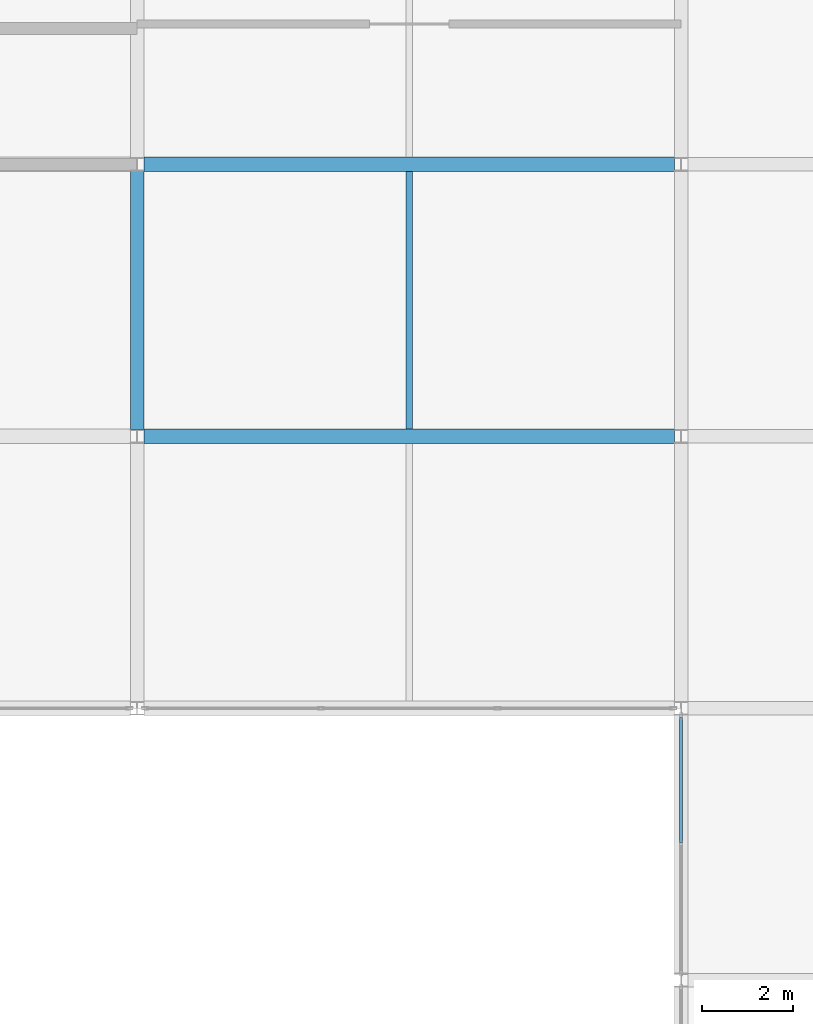
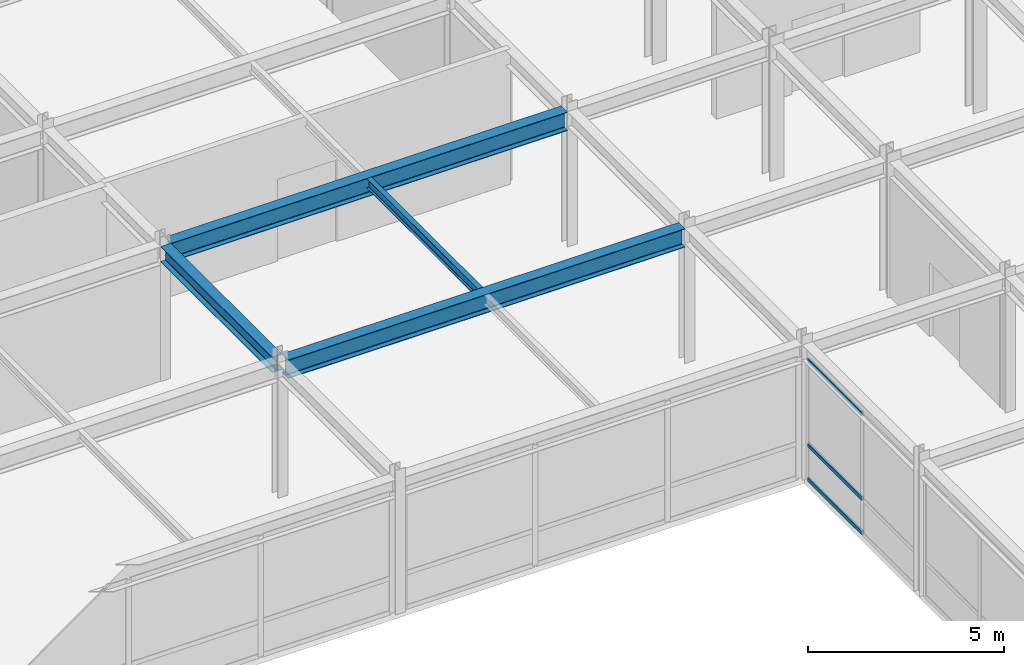
# One storey, part 72 of 108: 4 beams, 3 members, 1 element without a shape of its own.
"""IFC4 building model written with IfcOpenShell, lengths in metres."""

from ifc_helpers import new_model, si_unit, direction, frame, origin, origin_2d, place, context, subcontext, project, spatial, hollow_rectangle, i_section, extrude, material, layer, layer_set, material_profile, profile_set, type_object, element, aggregate, save


model = new_model("IFC4")

# Units and contexts
model_context = context("Model", 3, precision=1e-05, world=origin(), true_north=direction((0.0, 1.0)))
body_context = subcontext(model_context, "Body", "Model", "MODEL_VIEW")
ifc_project = project(units=[si_unit("LENGTHUNIT", "METRE"), si_unit("AREAUNIT", "SQUARE_METRE"), si_unit("VOLUMEUNIT", "CUBIC_METRE"), si_unit("PLANEANGLEUNIT", "RADIAN"), si_unit("MASSUNIT", "GRAM", prefix="KILO")], contexts=[model_context])

# Site, building, storey
site_placement = place(None, origin())
site = spatial("IfcSite", under=ifc_project, at=site_placement, CompositionType="ELEMENT")
building_placement = place(site_placement, origin())
building = spatial("IfcBuilding", under=site, at=building_placement, Name="Zlatovratsky Civic Hall", CompositionType="ELEMENT")
storey_placement = place(building_placement, frame((0.0, 0.0, 12.0)))
storey = spatial("IfcBuildingStorey", under=building, at=storey_placement, Name="L03", CompositionType="ELEMENT", Elevation=12.0)

# Beams
ifc_material_1 = material(Name="Steel S355", Category="steel")
ifc_material_profile_1 = material_profile(ifc_material_1, i_section(OverallWidth=0.300048828125, OverallDepth=0.48193359375, WebThickness=0.010986328125, FlangeThickness=0.014892578125, FilletRadius=0.02392578125, at=origin_2d()), Name="50Sh1")
ifc_profile_set_1 = profile_set([ifc_material_profile_1], Name="Steel S355")
beam_type_1 = type_object("IfcBeamType", Name="Beam_LibraryGirder_50Sh1", PredefinedType="BEAM", material=ifc_profile_set_1)
beam_1_placement = place(storey_placement, frame((36.0, 72.14794921875, 3.97900390625), z_axis=(0.0, 1.0, 0.0), x_axis=(-1.0, 0.0, 0.0)))
element("IfcBeam", 1, at=beam_1_placement, inside=storey, type_object=beam_type_1, Name="BM-2859", PredefinedType="BEAM", context=body_context, shape_type="SweptSolid", body=[
    extrude(i_section(OverallWidth=0.300048828125, OverallDepth=0.48193359375, WebThickness=0.010986328125, FlangeThickness=0.014892578125, FilletRadius=0.02392578125, at=origin_2d()), origin(), (0.0, 0.0, 1.0), 5.7041015625),
])
ifc_material_profile_2 = material_profile(ifc_material_1, i_section(OverallWidth=0.320068359375, OverallDepth=0.58203125, WebThickness=0.011962890625, FlangeThickness=0.01708984375, FilletRadius=0.02392578125, at=origin_2d()), Name="60Sh1")
ifc_profile_set_2 = profile_set([ifc_material_profile_2], Name="Steel S355")
beam_type_2 = type_object("IfcBeamType", Name="Beam_PodiumGirder_60Sh1", PredefinedType="BEAM", material=ifc_profile_set_2)
for number, where, z_axis, x_axis, name in (
    (2, (36.1494140625, 72.0, 3.928955078125), (1.0, 0.0, 0.0), (0.0, 1.0, 0.0), "BM-2625"),
    (3, (36.1494140625, 78.0, 3.928955078125), (1.0, 0.0, 0.0), (0.0, 1.0, 0.0), "BM-2647"),
):
    element("IfcBeam", number, at=place(storey_placement, frame(where, z_axis=z_axis, x_axis=x_axis)), inside=storey, type_object=beam_type_2, Name=name, PredefinedType="BEAM", context=body_context, shape_type="SweptSolid", body=[
        extrude(i_section(OverallWidth=0.320068359375, OverallDepth=0.58203125, WebThickness=0.011962890625, FlangeThickness=0.01708984375, FilletRadius=0.02392578125, at=origin_2d()), origin(), (0.0, 0.0, 1.0), 11.701171875),
    ])

# Curtain wall, members
ifc_material_2 = material(Name="Anodised bronze aluminium", Category="aluminium")
ifc_layer = layer(ifc_material_2, 0.159912109375)
ifc_layer_set = layer_set([ifc_layer], Name="Anodised bronze aluminium")
curtain_wall_type = type_object("IfcCurtainWallType", Name="CurtainWall_Bronze_5700x3770_12", PredefinedType="NOTDEFINED", material=ifc_layer_set)
curtain_wall_placement = place(storey_placement, origin())
curtain_wall = element("IfcCurtainWall", 4, at=curtain_wall_placement, inside=storey, type_object=curtain_wall_type, Name="CW-068", PredefinedType="NOTDEFINED")
ifc_material_profile_3 = material_profile(ifc_material_2, hollow_rectangle(XDim=0.06005859375, YDim=0.1201171875, WallThickness=0.00390625, at=origin_2d()), Name="ALU 60x120x4")
ifc_profile_set_3 = profile_set([ifc_material_profile_3], Name="Anodised bronze aluminium")
member_type = type_object("IfcMemberType", Name="CW_Transom_60x120", PredefinedType="USERDEFINED", material=ifc_profile_set_3)
member_1_placement = place(storey_placement, frame((48.0, 63.030029296875, 0.030029296875), z_axis=(0.0, 1.0, 0.0), x_axis=(-1.0, 0.0, 0.0)))
member_1 = element("IfcMember", 5, at=member_1_placement, type_object=member_type, Name="CW-12 transom 2.1", ObjectType="TRANSOM", PredefinedType="USERDEFINED", context=body_context, shape_type="SweptSolid", body=[
    extrude(hollow_rectangle(XDim=0.06005859375, YDim=0.1201171875, WallThickness=0.00390625, at=origin_2d()), origin(), (0.0, 0.0, 1.0), 2.761962890625),
])
member_2_placement = place(storey_placement, frame((48.0, 63.030029296875, 1.10009765625), z_axis=(0.0, 1.0, 0.0), x_axis=(-1.0, 0.0, 0.0)))
member_2 = element("IfcMember", 6, at=member_2_placement, type_object=member_type, Name="CW-12 transom 2.2", ObjectType="TRANSOM", PredefinedType="USERDEFINED", context=body_context, shape_type="SweptSolid", body=[
    extrude(hollow_rectangle(XDim=0.06005859375, YDim=0.1201171875, WallThickness=0.00390625, at=origin_2d()), origin(), (0.0, 0.0, 1.0), 2.761962890625),
])
member_3_placement = place(storey_placement, frame((48.0, 63.030029296875, 3.739990234375), z_axis=(0.0, 1.0, 0.0), x_axis=(-1.0, 0.0, 0.0)))
member_3 = element("IfcMember", 7, at=member_3_placement, type_object=member_type, Name="CW-12 transom 2.3", ObjectType="TRANSOM", PredefinedType="USERDEFINED", context=body_context, shape_type="SweptSolid", body=[
    extrude(hollow_rectangle(XDim=0.06005859375, YDim=0.1201171875, WallThickness=0.00390625, at=origin_2d()), origin(), (0.0, 0.0, 1.0), 2.761962890625),
])
aggregate(curtain_wall, [member_1, member_2, member_3])

# Beam
ifc_material_profile_4 = material_profile(ifc_material_1, i_section(OverallWidth=0.14892578125, OverallDepth=0.2958984375, WebThickness=0.005615234375, FlangeThickness=0.008056640625, FilletRadius=0.012939453125, at=origin_2d()), Name="30B1")
ifc_profile_set_4 = profile_set([ifc_material_profile_4], Name="Steel S355")
beam_type_3 = type_object("IfcBeamType", Name="Joist_Tower_30B1", PredefinedType="JOIST", material=ifc_profile_set_4)
beam_2_placement = place(storey_placement, frame((42.0, 72.159912109375, 4.072021484375), z_axis=(0.0, 1.0, 0.0), x_axis=(-1.0, 0.0, 0.0)))
element("IfcBeam", 8, at=beam_2_placement, inside=storey, type_object=beam_type_3, Name="BM-3158", PredefinedType="JOIST", context=body_context, shape_type="SweptSolid", body=[
    extrude(i_section(OverallWidth=0.14892578125, OverallDepth=0.2958984375, WebThickness=0.005615234375, FlangeThickness=0.008056640625, FilletRadius=0.012939453125, at=origin_2d()), origin(), (0.0, 0.0, 1.0), 5.68017578125),
])

save(model, "model.ifc")
